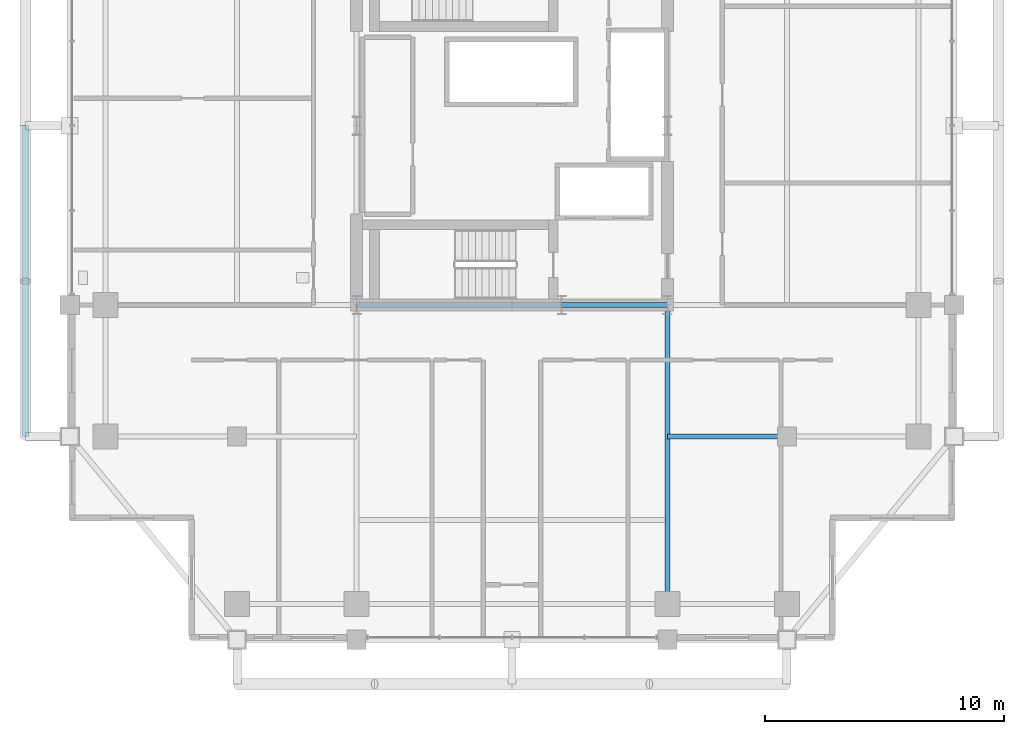
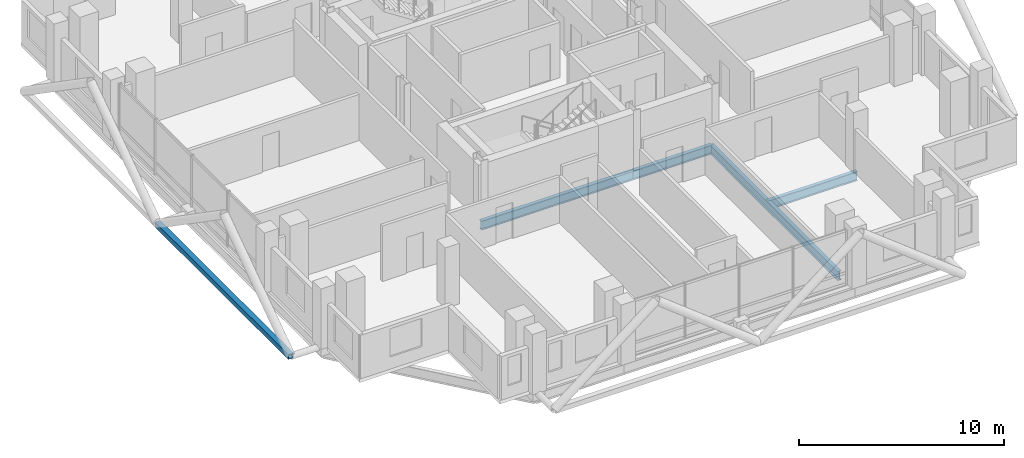
# One storey, part 6 of 25: 4 beams, 1 member.
"""IFC4 building model written with IfcOpenShell, lengths in metres."""

from ifc_helpers import new_model, si_unit, direction, frame, origin, origin_2d, place, context, subcontext, project, spatial, hollow_rectangle, i_section, extrude, material, material_profile, profile_set, type_object, element, save


model = new_model("IFC4")

# Units and contexts
model_context = context("Model", 3, precision=1e-05, world=origin(), true_north=direction((0.0, 1.0)))
body_context = subcontext(model_context, "Body", "Model", "MODEL_VIEW")
ifc_project = project(units=[si_unit("LENGTHUNIT", "METRE"), si_unit("AREAUNIT", "SQUARE_METRE"), si_unit("VOLUMEUNIT", "CUBIC_METRE"), si_unit("PLANEANGLEUNIT", "RADIAN"), si_unit("MASSUNIT", "GRAM", prefix="KILO")], contexts=[model_context])

# Site, building, storey
site_placement = place(None, origin())
site = spatial("IfcSite", under=ifc_project, at=site_placement, CompositionType="ELEMENT")
building_placement = place(site_placement, origin())
building = spatial("IfcBuilding", under=site, at=building_placement, Name="Barlavira Tower and Art Museum", CompositionType="ELEMENT")
storey_placement = place(building_placement, frame((0.0, 0.0, 208.800048828125)))
storey = spatial("IfcBuildingStorey", under=building, at=storey_placement, Name="L54", CompositionType="ELEMENT", Elevation=208.800048828125)

# Member
ifc_material = material(Name="Steel S355", Category="steel")
ifc_material_profile_1 = material_profile(ifc_material, hollow_rectangle(XDim=0.300048828125, YDim=0.300048828125, WallThickness=0.01611328125, at=origin_2d()), Name="SHS 300x300x16.0")
ifc_profile_set_1 = profile_set([ifc_material_profile_1], Name="Steel S355")
member_type = type_object("IfcMemberType", Name="Pale-Metal Upper Ring Strut SHS 300x300x16 Steel S355", PredefinedType="STRUT", material=ifc_profile_set_1)
member_placement = place(storey_placement, frame((-20.35009765625, -13.0, -0.1201171875), z_axis=(0.0, 1.0, 0.0), x_axis=(-1.0, 0.0, 0.0)))
element("IfcMember", 1, at=member_placement, inside=storey, type_object=member_type, Name="L54 Exoskeleton Ring Strut W", PredefinedType="STRUT", context=body_context, shape_type="SweptSolid", body=[
    extrude(hollow_rectangle(XDim=0.300048828125, YDim=0.300048828125, WallThickness=0.01611328125, at=origin_2d()), origin(), (0.0, 0.0, 1.0), 13.0),
])

# Beams
ifc_material_profile_2 = material_profile(ifc_material, i_section(OverallWidth=0.2109375, OverallDepth=0.5390625, WebThickness=0.01171875, FlangeThickness=0.018798828125, at=origin_2d()), Name="W530x109.0")
ifc_profile_set_2 = profile_set([ifc_material_profile_2], Name="Steel S355")
beam_type = type_object("IfcBeamType", Name="Zone 3-4 Primary Floor Girder W530x109 Steel S355", PredefinedType="BEAM", material=ifc_profile_set_2)
beam_1_placement = place(storey_placement, frame((-6.5, -7.5, -0.489501953125), z_axis=(1.0, 0.0, 0.0), x_axis=(0.0, 1.0, 0.0)))
element("IfcBeam", 2, at=beam_1_placement, inside=storey, type_object=beam_type, Name="L54 Girder C-S1", PredefinedType="BEAM", context=body_context, shape_type="SweptSolid", body=[
    extrude(i_section(OverallWidth=0.2109375, OverallDepth=0.5390625, WebThickness=0.01171875, FlangeThickness=0.018798828125, at=origin_2d()), origin(), (0.0, 0.0, 1.0), 8.580078125),
])
beam_2_placement = place(storey_placement, frame((2.080078125, -7.5, -0.489501953125), z_axis=(1.0, 0.0, 0.0), x_axis=(0.0, 1.0, 0.0)))
element("IfcBeam", 3, at=beam_2_placement, inside=storey, type_object=beam_type, Name="L54 Girder C-S2", PredefinedType="BEAM", context=body_context, shape_type="SweptSolid", body=[
    extrude(i_section(OverallWidth=0.2109375, OverallDepth=0.5390625, WebThickness=0.01171875, FlangeThickness=0.018798828125, at=origin_2d()), origin(), (0.0, 0.0, 1.0), 4.419921875),
])
beam_3_placement = place(storey_placement, frame((6.5, -20.0, -0.489501953125), z_axis=(0.0, 1.0, 0.0), x_axis=(-1.0, 0.0, 0.0)))
element("IfcBeam", 4, at=beam_3_placement, inside=storey, type_object=beam_type, Name="L54 Girder R-S2", PredefinedType="BEAM", context=body_context, shape_type="SweptSolid", body=[
    extrude(i_section(OverallWidth=0.2109375, OverallDepth=0.5390625, WebThickness=0.01171875, FlangeThickness=0.018798828125, at=origin_2d()), origin(), (0.0, 0.0, 1.0), 12.5),
])
beam_4_placement = place(storey_placement, frame((6.5, -13.0, -0.489501953125), z_axis=(1.0, 0.0, 0.0), x_axis=(0.0, 1.0, 0.0)))
element("IfcBeam", 5, at=beam_4_placement, inside=storey, type_object=beam_type, Name="L54 Girder I-S3", PredefinedType="BEAM", context=body_context, shape_type="SweptSolid", body=[
    extrude(i_section(OverallWidth=0.2109375, OverallDepth=0.5390625, WebThickness=0.01171875, FlangeThickness=0.018798828125, at=origin_2d()), origin(), (0.0, 0.0, 1.0), 5.0),
])

save(model, "model.ifc")
